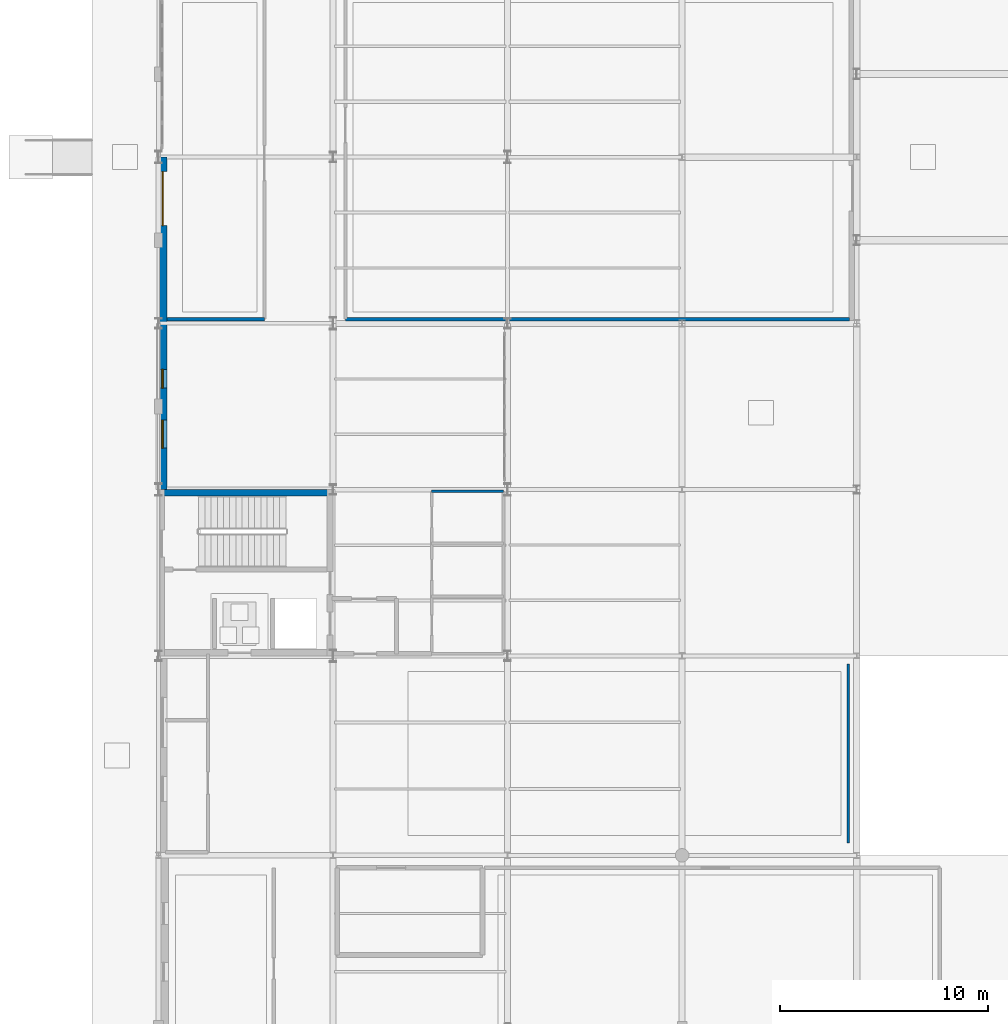
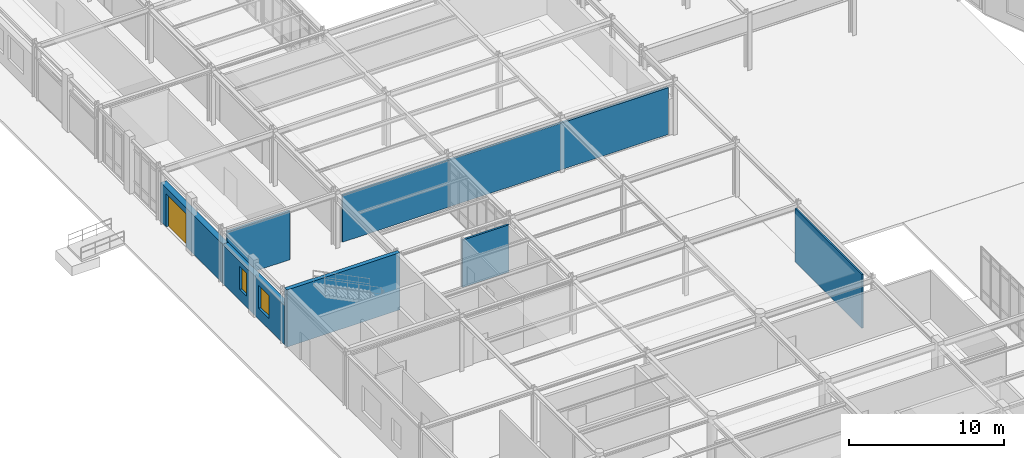
# One storey, part 80 of 101: 7 walls, 2 windows, 1 door, 3 openings.
"""IFC4 building model written with IfcOpenShell, lengths in metres."""

from ifc_helpers import new_model, si_unit, derived_unit, direction, frame, frame_2d, origin, place, context, subcontext, project, spatial, rectangle, extrude, material, layer, layer_set, type_object, element, fill, save


model = new_model("IFC4")

# Units and contexts
model_context = context("Model", 3, precision=1e-05, world=origin(), true_north=direction((0.0, 1.0)))
body_context = subcontext(model_context, "Body", "Model", "MODEL_VIEW")
ifc_project = project(units=[si_unit("LENGTHUNIT", "METRE"), si_unit("AREAUNIT", "SQUARE_METRE"), si_unit("VOLUMEUNIT", "CUBIC_METRE"), si_unit("PLANEANGLEUNIT", "RADIAN"), si_unit("MASSUNIT", "GRAM", prefix="KILO"), derived_unit("THERMALTRANSMITTANCEUNIT", [(si_unit("POWERUNIT", "WATT"), 1), (si_unit("AREAUNIT", "SQUARE_METRE"), -1), (si_unit("THERMODYNAMICTEMPERATUREUNIT", "KELVIN"), -1)])], contexts=[model_context])

# Site, building, storey
site_placement = place(None, origin())
site = spatial("IfcSite", under=ifc_project, at=site_placement, CompositionType="ELEMENT")
building_placement = place(site_placement, origin())
building = spatial("IfcBuilding", under=site, at=building_placement, Name="Yasenodar Specialist Clinic", CompositionType="ELEMENT")
storey_placement = place(building_placement, origin())
storey = spatial("IfcBuildingStorey", under=building, at=storey_placement, Name="L00", CompositionType="ELEMENT", Elevation=0.0)

# Wall, openings, windows
ifc_material_1 = material(Name="Kapustianske Red Granite Ashlar Rainscreen", Category="masonry")
ifc_layer_1 = layer(ifc_material_1, 0.419921875)
ifc_layer_set_1 = layer_set([ifc_layer_1], Name="Kapustianske Red Granite Ashlar Rainscreen")
wall_type_1 = type_object("IfcWallType", Name="EW-GRAN-420", PredefinedType="SOLIDWALL", material=ifc_layer_set_1)
wall_1_placement = place(storey_placement, frame((0.199951171875, 42.800048828125, 0.0), z_axis=(0.0, 0.0, 1.0), x_axis=(0.0, 1.0, 0.0)))
wall_1 = element("IfcWall", 1, at=wall_1_placement, inside=storey, type_object=wall_type_1, Name="L00 Exterior Facade Wall 0081", PredefinedType="SOLIDWALL", context=body_context, shape_type="SweptSolid", body=[
    extrude(rectangle(XDim=8.0, YDim=0.419921875, at=frame_2d((4.0, 0.0))), origin(), (0.0, 0.0, 1.0), 3.077880859375),
])
opening_1_placement = place(wall_1_placement, frame((1.99169921875, 0.0, 0.85009765625)))
opening_1 = element("IfcOpeningElement", 2, at=opening_1_placement, cuts=wall_1, Name="Opening W-02", PredefinedType="OPENING", context=body_context, shape_type="SweptSolid", body=[
    extrude(rectangle(XDim=1.35009765625, YDim=1.800048828125, at=frame_2d((0.675048828125, 0.89990234375))), frame((0.0, 0.219970703125, 0.0), z_axis=(0.0, -1.0, 0.0), x_axis=(1.0, 0.0, 0.0)), (0.0, 0.0, 1.0), 0.43994140625),
])
opening_2_placement = place(wall_1_placement, frame((4.88330078125, 0.0, 0.85009765625)))
opening_2 = element("IfcOpeningElement", 3, at=opening_2_placement, cuts=wall_1, Name="Opening W-09", PredefinedType="OPENING", context=body_context, shape_type="SweptSolid", body=[
    extrude(rectangle(XDim=0.89990234375, YDim=1.800048828125, at=frame_2d((0.449951171875, 0.89990234375))), frame((0.0, 0.219970703125, 0.0), z_axis=(0.0, -1.0, 0.0), x_axis=(1.0, 0.0, 0.0)), (0.0, 0.0, 1.0), 0.43994140625),
])
ifc_material_2 = material(Name="Triple Low-E Argon Glazing in Bronze Aluminium Frame", Category="aluminium")
window_type_1 = type_object("IfcWindowType", Name="WIN-EXT-02", PartitioningType="SINGLE_PANEL", PredefinedType="WINDOW", material=ifc_material_2)
window_1_placement = place(opening_1_placement, origin())
window_1 = element("IfcWindow", 4, at=window_1_placement, inside=storey, type_object=window_type_1, Name="L00 Triple-Glazed Reveal Window 0068", OverallHeight=1.800048828125, OverallWidth=1.35009765625, PartitioningType="SINGLE_PANEL", PredefinedType="WINDOW", context=body_context, shape_type="SweptSolid", body=[
    extrude(rectangle(XDim=1.35009765625, YDim=1.800048828125, at=frame_2d((0.675048828125, 0.89990234375))), frame((0.0, 0.030029296875, 0.0), z_axis=(0.0, -1.0, 0.0), x_axis=(1.0, 0.0, 0.0)), (0.0, 0.0, 1.0), 0.06005859375),
])
fill(opening_1, window_1)
window_type_2 = type_object("IfcWindowType", Name="WIN-EXT-09", PartitioningType="SINGLE_PANEL", PredefinedType="WINDOW", material=ifc_material_2)
window_2_placement = place(opening_2_placement, origin())
window_2 = element("IfcWindow", 5, at=window_2_placement, inside=storey, type_object=window_type_2, Name="L00 Triple-Glazed Reveal Window 0069", OverallHeight=1.800048828125, OverallWidth=0.89990234375, PartitioningType="SINGLE_PANEL", PredefinedType="WINDOW", context=body_context, shape_type="SweptSolid", body=[
    extrude(rectangle(XDim=0.89990234375, YDim=1.800048828125, at=frame_2d((0.449951171875, 0.89990234375))), frame((0.0, 0.030029296875, 0.0), z_axis=(0.0, -1.0, 0.0), x_axis=(1.0, 0.0, 0.0)), (0.0, 0.0, 1.0), 0.06005859375),
])
fill(opening_2, window_2)

# Wall, opening, door
wall_2_placement = place(storey_placement, frame((0.2099609375, 50.800048828125, 0.0), z_axis=(0.0, 0.0, 1.0), x_axis=(0.0, 1.0, 0.0)))
wall_2 = element("IfcWall", 6, at=wall_2_placement, inside=storey, type_object=wall_type_1, Name="L00 Exterior Facade Wall 0082", PredefinedType="SOLIDWALL", context=body_context, shape_type="SweptSolid", body=[
    extrude(rectangle(XDim=8.0, YDim=0.419921875, at=frame_2d((4.0, 0.0))), origin(), (0.0, 0.0, 1.0), 3.077880859375),
])
opening_3_placement = place(wall_2_placement, frame((4.699951171875, 0.0, 0.0)))
opening_3 = element("IfcOpeningElement", 7, at=opening_3_placement, cuts=wall_2, Name="Opening EX-05", PredefinedType="OPENING", context=body_context, shape_type="SweptSolid", body=[
    extrude(rectangle(XDim=2.60009765625, YDim=2.60009765625, at=frame_2d((1.300048828125, 1.300048828125))), frame((0.0, 0.219970703125, 0.0), z_axis=(0.0, -1.0, 0.0), x_axis=(1.0, 0.0, 0.0)), (0.0, 0.0, 1.0), 0.43994140625),
])
ifc_material_3 = material(Name="Thermally Broken Bronze Anodized Aluminium and Laminated Glass", Category="aluminium")
door_type = type_object("IfcDoorType", Name="DR-EX-260", OperationType="DOUBLE_DOOR_SINGLE_SWING", PredefinedType="DOOR", material=ifc_material_3)
door_placement = place(opening_3_placement, origin())
door = element("IfcDoor", 8, at=door_placement, inside=storey, type_object=door_type, Name="L00 Pishtaq Main Street Entrance Door EX-06", OperationType="DOUBLE_DOOR_SINGLE_SWING", OverallHeight=2.60009765625, OverallWidth=2.60009765625, PredefinedType="DOOR", context=body_context, shape_type="SweptSolid", body=[
    extrude(rectangle(XDim=2.60009765625, YDim=2.60009765625, at=frame_2d((1.300048828125, 1.300048828125))), frame((0.0, 0.02490234375, 0.0), z_axis=(0.0, -1.0, 0.0), x_axis=(1.0, 0.0, 0.0)), (0.0, 0.0, 1.0), 0.050048828125),
])
fill(opening_3, door)

# Walls
ifc_material_4 = material(Name="Acoustic Double-Gypsum Consulting Partition")
ifc_layer_2 = layer(ifc_material_4, 0.159912109375)
ifc_layer_set_2 = layer_set([ifc_layer_2], Name="Acoustic Double-Gypsum Consulting Partition")
wall_type_2 = type_object("IfcWallType", Name="IW-CONS-160", PredefinedType="PARTITIONING", material=ifc_layer_set_2)
wall_3_placement = place(storey_placement, frame((5.10009765625, 51.0, 0.0), z_axis=(0.0, 0.0, 1.0), x_axis=(-1.0, 0.0, 0.0)))
element("IfcWall", 9, at=wall_3_placement, inside=storey, type_object=wall_type_2, Name="L00 Pishtaq Entrance Hall Partition", PredefinedType="PARTITIONING", context=body_context, shape_type="SweptSolid", body=[
    extrude(rectangle(XDim=4.7001953125, YDim=0.159912109375, at=frame_2d((2.35009765625, 0.0))), origin(), (0.0, 0.0, 1.0), 3.827880859375),
])
wall_4_placement = place(storey_placement, frame((33.25, 51.0, 0.0), z_axis=(0.0, 0.0, 1.0), x_axis=(-1.0, 0.0, 0.0)))
element("IfcWall", 10, at=wall_4_placement, inside=storey, type_object=wall_type_2, Name="L00 Outpatient Registration and Triage Hall Partition", PredefinedType="PARTITIONING", context=body_context, shape_type="SweptSolid", body=[
    extrude(rectangle(XDim=24.25, YDim=0.159912109375, at=frame_2d((12.125, 0.0))), origin(), (0.0, 0.0, 1.0), 3.677978515625),
])
ifc_material_5 = material(Name="Lightweight Counseling Partition")
ifc_layer_3 = layer(ifc_material_5, 0.114990234375)
ifc_layer_set_3 = layer_set([ifc_layer_3], Name="Lightweight Counseling Partition")
wall_type_3 = type_object("IfcWallType", Name="IW-PART-115", PredefinedType="PARTITIONING", material=ifc_layer_set_3)
wall_5_placement = place(storey_placement, frame((33.199951171875, 34.39990234375, 0.0), z_axis=(0.0, 0.0, 1.0), x_axis=(0.0, -1.0, 0.0)))
element("IfcWall", 11, at=wall_5_placement, inside=storey, type_object=wall_type_3, Name="L00 Primary Care Outpatient Consulting Suite Partition", PredefinedType="PARTITIONING", context=body_context, shape_type="SweptSolid", body=[
    extrude(rectangle(XDim=8.599853515625, YDim=0.114990234375, at=frame_2d((4.2998046875, 0.0))), origin(), (0.0, 0.0, 1.0), 4.22998046875),
])
ifc_material_6 = material(Name="Moisture-Resistant Sanitary Partition")
ifc_layer_4 = layer(ifc_material_6, 0.139892578125)
ifc_layer_set_4 = layer_set([ifc_layer_4], Name="Moisture-Resistant Sanitary Partition")
wall_type_4 = type_object("IfcWallType", Name="IW-WET-140", PredefinedType="PARTITIONING", material=ifc_layer_set_4)
wall_6_placement = place(storey_placement, frame((13.14990234375, 42.719970703125, 0.0), z_axis=(0.0, 0.0, 1.0), x_axis=(1.0, 0.0, 0.0)))
element("IfcWall", 12, at=wall_6_placement, inside=storey, type_object=wall_type_4, Name="L00 West Sanitary Block North Wall", PredefinedType="PARTITIONING", context=body_context, shape_type="SweptSolid", body=[
    extrude(rectangle(XDim=3.4501953125, YDim=0.139892578125, at=frame_2d((1.72509765625, 0.0))), origin(), (0.0, 0.0, 1.0), 3.72802734375),
])
ifc_material_7 = material(Name="Concrete C35/45", Category="concrete")
ifc_layer_5 = layer(ifc_material_7, 0.300048828125)
ifc_layer_set_5 = layer_set([ifc_layer_5], Name="Concrete C35/45")
wall_type_5 = type_object("IfcWallType", Name="WL-CORE-300", PredefinedType="SHEAR", material=ifc_layer_set_5)
wall_7_placement = place(storey_placement, frame((0.0, 42.64990234375, 0.0), z_axis=(0.0, 0.0, 1.0), x_axis=(1.0, 0.0, 0.0)))
element("IfcWall", 13, at=wall_7_placement, inside=storey, type_object=wall_type_5, Name="L00 Core C1 North Shear Wall", PredefinedType="SHEAR", context=body_context, shape_type="SweptSolid", body=[
    extrude(rectangle(XDim=8.39990234375, YDim=0.300048828125, at=frame_2d((4.199951171875, 0.0))), origin(), (0.0, 0.0, 1.0), 4.5),
])

save(model, "model.ifc")
